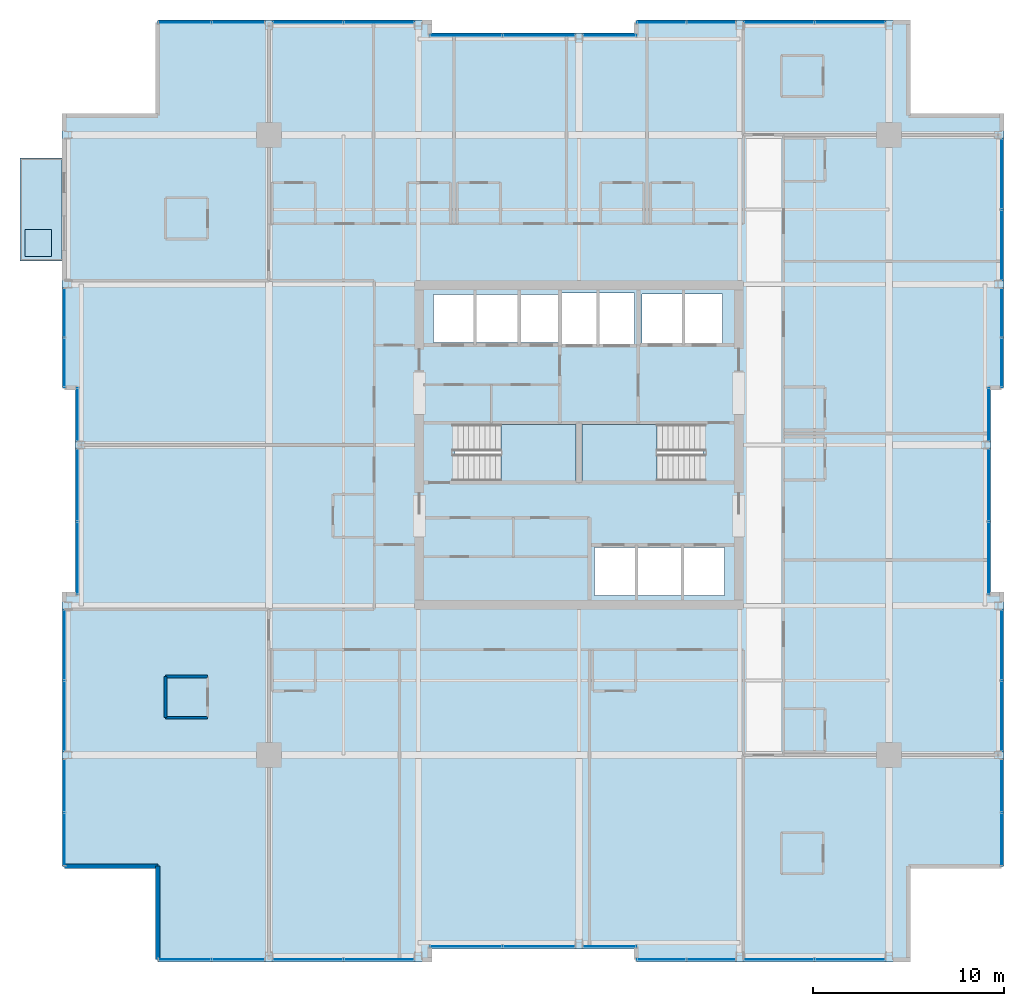
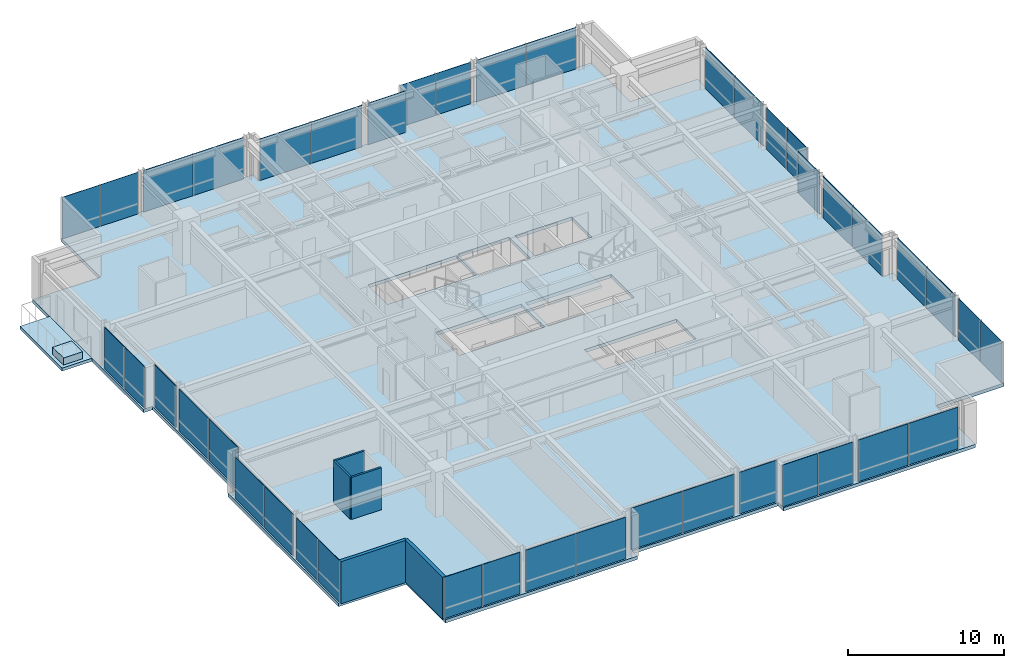
# One storey, part 24 of 31: 42 plates, 5 slabs, 5 walls, 25 elements without a shape of their own.
"""IFC4 building model written with IfcOpenShell, lengths in metres."""

from ifc_helpers import new_model, si_unit, direction, frame, frame_2d, origin, origin_2d, place, context, subcontext, project, spatial, polyline, rectangle, outline, extrude, material, layer, layer_set, type_object, element, aggregate, save


model = new_model("IFC4")

# Units and contexts
model_context = context("Model", 3, precision=1e-05, world=origin(), true_north=direction((0.0, 1.0)))
body_context = subcontext(model_context, "Body", "Model", "MODEL_VIEW")
ifc_project = project(units=[si_unit("LENGTHUNIT", "METRE"), si_unit("AREAUNIT", "SQUARE_METRE"), si_unit("VOLUMEUNIT", "CUBIC_METRE"), si_unit("PLANEANGLEUNIT", "RADIAN"), si_unit("MASSUNIT", "GRAM", prefix="KILO")], contexts=[model_context])

# Site, building, storey
site_placement = place(None, origin())
site = spatial("IfcSite", under=ifc_project, at=site_placement, CompositionType="ELEMENT")
building_placement = place(site_placement, origin())
building = spatial("IfcBuilding", under=site, at=building_placement, Name="Drelvath Grand Hotel", CompositionType="ELEMENT")
storey_placement = place(building_placement, frame((0.0, 0.0, 185.89990234375)))
storey = spatial("IfcBuildingStorey", under=building, at=storey_placement, Name="L48", CompositionType="ELEMENT", Elevation=185.89990234375)

# Slabs
ifc_material_1 = material(Name="Concrete f'c 40 MPa", Category="concrete")
ifc_layer_1 = layer(ifc_material_1, 0.239990234375)
ifc_layer_set_1 = layer_set([ifc_layer_1], Name="Concrete f'c 40 MPa")
slab_type_1 = type_object("IfcSlabType", Name="Cantilevered Tree Balcony Slab 240", PredefinedType="FLOOR", material=ifc_layer_set_1)
slab_1_placement = place(storey_placement, frame((0.0, 0.0, -0.239990234375)))
element("IfcSlab", 1, at=slab_1_placement, inside=storey, type_object=slab_type_1, Name="L48 Cantilevered Tree Balcony Slab 1", PredefinedType="FLOOR", context=body_context, shape_type="SweptSolid", body=[
    extrude(outline(polyline([(-29.199951171875, 36.60009765625), (-27.0, 36.60009765625), (-27.0, 42.0), (-29.199951171875, 42.0), (-29.199951171875, 36.60009765625)])), origin(), (0.0, 0.0, 1.0), 0.239990234375),
])
ifc_layer_2 = layer(ifc_material_1, 0.260009765625)
ifc_layer_set_2 = layer_set([ifc_layer_2], Name="Concrete f'c 40 MPa")
slab_type_2 = type_object("IfcSlabType", Name="Composite RC Floor Slab 260", PredefinedType="FLOOR", material=ifc_layer_set_2)
slab_2_placement = place(storey_placement, frame((0.0, 0.0, -0.260009765625)))
element("IfcSlab", 2, at=slab_2_placement, inside=storey, type_object=slab_type_2, Name="L48 Structural Floor Slab", PredefinedType="FLOOR", context=body_context, shape_type="SweptSolid", body=[
    extrude(outline(polyline([(-22.0, 0.0), (-7.800048828125, 0.0), (-7.800048828125, 0.679931640625), (3.0, 0.679931640625), (3.0, 0.0), (17.199951171875, 0.0), (17.199951171875, 5.0), (22.199951171875, 5.0), (22.199951171875, 19.199951171875), (21.52001953125, 19.199951171875), (21.52001953125, 30.0), (22.199951171875, 30.0), (22.199951171875, 44.199951171875), (17.199951171875, 44.199951171875), (17.199951171875, 49.199951171875), (3.0, 49.199951171875), (3.0, 48.52001953125), (-7.800048828125, 48.52001953125), (-7.800048828125, 49.199951171875), (-22.0, 49.199951171875), (-22.0, 44.199951171875), (-27.0, 44.199951171875), (-27.0, 30.0), (-26.320068359375, 30.0), (-26.320068359375, 19.199951171875), (-27.0, 19.199951171875), (-27.0, 5.0), (-22.0, 5.0), (-22.0, 0.0)]), holes=[polyline([(-6.47998046875, 25.1201171875), (-6.47998046875, 28.080078125), (-0.14990234375, 28.080078125), (-0.14990234375, 25.1201171875), (-6.47998046875, 25.1201171875)]), polyline([(0.14990234375, 25.1201171875), (0.14990234375, 28.080078125), (6.47998046875, 28.080078125), (6.47998046875, 25.1201171875), (0.14990234375, 25.1201171875)]), polyline([(0.800048828125, 19.14990234375), (0.800048828125, 21.64990234375), (7.60009765625, 21.64990234375), (7.60009765625, 19.14990234375), (0.800048828125, 19.14990234375)]), polyline([(-7.60009765625, 32.35009765625), (-7.60009765625, 34.85009765625), (-1.02001953125, 34.85009765625), (-1.02001953125, 32.35009765625), (-7.60009765625, 32.35009765625)]), polyline([(-0.89990234375, 32.25), (-0.89990234375, 34.949951171875), (2.89990234375, 34.949951171875), (2.89990234375, 32.25), (-0.89990234375, 32.25)]), polyline([(3.300048828125, 32.300048828125), (3.300048828125, 34.89990234375), (7.5, 34.89990234375), (7.5, 32.300048828125), (3.300048828125, 32.300048828125)])]), origin(), (0.0, 0.0, 1.0), 0.260009765625),
])

# Stair, slab
ifc_material_2 = material(Name="Concrete C40/50", Category="concrete")
stair_type = type_object("IfcStairType", Name="Dogleg Exit Stair W1400-R177.5", PredefinedType="HALF_TURN_STAIR", material=ifc_material_2)
stair_1_placement = place(storey_placement, origin())
stair_1 = element("IfcStair", 3, at=stair_1_placement, inside=storey, type_object=stair_type, Name="L48 Core Exit Stair ST-1", PredefinedType="HALF_TURN_STAIR")
ifc_layer_3 = layer(ifc_material_2, 0.199951171875)
ifc_layer_set_3 = layer_set([ifc_layer_3], Name="Concrete C40/50")
slab_type_3 = type_object("IfcSlabType", Name="Concrete Stair Landing Slab 200", PredefinedType="LANDING", material=ifc_layer_set_3)
slab_3_placement = place(storey_placement, frame((0.0, 0.0, 1.5751953125)))
slab_3 = element("IfcSlab", 4, at=slab_3_placement, type_object=slab_type_3, Name="ST-1 landing 1", PredefinedType="LANDING", context=body_context, shape_type="SweptSolid", body=[
    extrude(outline(polyline([(-4.080078125, 25.1201171875), (-0.14990234375, 25.1201171875), (-0.14990234375, 28.080078125), (-4.080078125, 28.080078125), (-4.080078125, 25.1201171875)])), origin(), (0.0, 0.0, 1.0), 0.199951171875),
])
aggregate(stair_1, [slab_3])

stair_2_placement = place(storey_placement, origin())
stair_2 = element("IfcStair", 5, at=stair_2_placement, inside=storey, type_object=stair_type, Name="L48 Core Exit Stair ST-2", PredefinedType="HALF_TURN_STAIR")
slab_4_placement = place(storey_placement, frame((0.0, 0.0, 1.5751953125)))
slab_4 = element("IfcSlab", 6, at=slab_4_placement, type_object=slab_type_3, Name="ST-2 landing 1", PredefinedType="LANDING", context=body_context, shape_type="SweptSolid", body=[
    extrude(outline(polyline([(4.080078125, 28.080078125), (0.14990234375, 28.080078125), (0.14990234375, 25.1201171875), (4.080078125, 25.1201171875), (4.080078125, 28.080078125)])), origin(), (0.0, 0.0, 1.0), 0.199951171875),
])
aggregate(stair_2, [slab_4])

# Curtain wall, plates
ifc_material_3 = material(Name="Brushed Pale-Silver Anodised Aluminium Frame", Category="aluminium")
ifc_layer_4 = layer(ifc_material_3, 0.199951171875)
ifc_layer_set_4 = layer_set([ifc_layer_4], Name="Brushed Pale-Silver Anodised Aluminium Frame")
curtain_wall_type = type_object("IfcCurtainWallType", Name="Stick Curtain Wall CW-04 Brushed Silver Upper-Mid", PredefinedType="NOTDEFINED", material=ifc_layer_set_4)
curtain_wall_1_placement = place(storey_placement, origin())
curtain_wall_1 = element("IfcCurtainWall", 7, at=curtain_wall_1_placement, inside=storey, type_object=curtain_wall_type, Name="L48 CW-04 Curtain Wall CW04-L48-WS1", PredefinedType="NOTDEFINED")
ifc_material_4 = material(Name="Low-E Triple Silver Vision Glass Cool", Category="glass")
ifc_layer_5 = layer(ifc_material_4, 0.035888671875)
ifc_layer_set_5 = layer_set([ifc_layer_5], Name="Low-E Triple Silver Vision Glass Cool")
plate_type = type_object("IfcPlateType", Name="Curtain Wall Vision Panel CW-04 36mm", PredefinedType="CURTAIN_PANEL", material=ifc_layer_set_5)
plate_1_placement = place(storey_placement, frame((-26.8798828125, 6.402099609375, 0.02001953125), z_axis=(0.0, 0.0, 1.0), x_axis=(0.0, 1.0, 0.0)))
plate_1 = element("IfcPlate", 8, at=plate_1_placement, type_object=plate_type, Name="CW04-L48-WS1 Glazed Panel 1", PredefinedType="CURTAIN_PANEL", context=body_context, shape_type="SweptSolid", body=[
    extrude(rectangle(XDim=2.76416015625, YDim=0.035888671875, at=origin_2d()), origin(), (0.0, 0.0, 1.0), 3.25),
])
plate_2_placement = place(storey_placement, frame((-26.8798828125, 9.206298828125, 0.02001953125), z_axis=(0.0, 0.0, 1.0), x_axis=(0.0, 1.0, 0.0)))
plate_2 = element("IfcPlate", 9, at=plate_2_placement, type_object=plate_type, Name="CW04-L48-WS1 Glazed Panel 2", PredefinedType="CURTAIN_PANEL", context=body_context, shape_type="SweptSolid", body=[
    extrude(rectangle(XDim=2.76416015625, YDim=0.035888671875, at=origin_2d()), origin(), (0.0, 0.0, 1.0), 3.25),
])
aggregate(curtain_wall_1, [plate_1, plate_2])

curtain_wall_2_placement = place(storey_placement, origin())
curtain_wall_2 = element("IfcCurtainWall", 10, at=curtain_wall_2_placement, inside=storey, type_object=curtain_wall_type, Name="L48 CW-04 Curtain Wall CW04-L48-WS2", PredefinedType="NOTDEFINED")
plate_3_placement = place(storey_placement, frame((-26.8798828125, 12.845947265625, 0.02001953125), z_axis=(0.0, 0.0, 1.0), x_axis=(0.0, 1.0, 0.0)))
plate_3 = element("IfcPlate", 11, at=plate_3_placement, type_object=plate_type, Name="CW04-L48-WS2 Glazed Panel 1", PredefinedType="CURTAIN_PANEL", context=body_context, shape_type="SweptSolid", body=[
    extrude(rectangle(XDim=3.66845703125, YDim=0.035888671875, at=origin_2d()), origin(), (0.0, 0.0, 1.0), 3.25),
])
plate_4_placement = place(storey_placement, frame((-26.8798828125, 16.55419921875, 0.02001953125), z_axis=(0.0, 0.0, 1.0), x_axis=(0.0, 1.0, 0.0)))
plate_4 = element("IfcPlate", 12, at=plate_4_placement, type_object=plate_type, Name="CW04-L48-WS2 Glazed Panel 2", PredefinedType="CURTAIN_PANEL", context=body_context, shape_type="SweptSolid", body=[
    extrude(rectangle(XDim=3.66845703125, YDim=0.035888671875, at=origin_2d()), origin(), (0.0, 0.0, 1.0), 3.25),
])
aggregate(curtain_wall_2, [plate_3, plate_4])

curtain_wall_3_placement = place(storey_placement, origin())
curtain_wall_3 = element("IfcCurtainWall", 13, at=curtain_wall_3_placement, inside=storey, type_object=curtain_wall_type, Name="L48 CW-04 Curtain Wall CW04-L48-WM1", PredefinedType="NOTDEFINED")
plate_5_placement = place(storey_placement, frame((-26.199951171875, 21.10205078125, 0.02001953125), z_axis=(0.0, 0.0, 1.0), x_axis=(0.0, 1.0, 0.0)))
plate_5 = element("IfcPlate", 14, at=plate_5_placement, type_object=plate_type, Name="CW04-L48-WM1 Glazed Panel 1", PredefinedType="CURTAIN_PANEL", context=body_context, shape_type="SweptSolid", body=[
    extrude(rectangle(XDim=3.76416015625, YDim=0.035888671875, at=origin_2d()), origin(), (0.0, 0.0, 1.0), 3.25),
])
plate_6_placement = place(storey_placement, frame((-26.199951171875, 24.90625, 0.02001953125), z_axis=(0.0, 0.0, 1.0), x_axis=(0.0, 1.0, 0.0)))
plate_6 = element("IfcPlate", 15, at=plate_6_placement, type_object=plate_type, Name="CW04-L48-WM1 Glazed Panel 2", PredefinedType="CURTAIN_PANEL", context=body_context, shape_type="SweptSolid", body=[
    extrude(rectangle(XDim=3.76416015625, YDim=0.035888671875, at=origin_2d()), origin(), (0.0, 0.0, 1.0), 3.25),
])
aggregate(curtain_wall_3, [plate_5, plate_6])

# Curtain wall, plate
curtain_wall_4_placement = place(storey_placement, origin())
curtain_wall_4 = element("IfcCurtainWall", 16, at=curtain_wall_4_placement, inside=storey, type_object=curtain_wall_type, Name="L48 CW-04 Curtain Wall CW04-L48-WM2", PredefinedType="NOTDEFINED")
plate_7_placement = place(storey_placement, frame((-26.199951171875, 28.595703125, 0.02001953125), z_axis=(0.0, 0.0, 1.0), x_axis=(0.0, 1.0, 0.0)))
plate_7 = element("IfcPlate", 17, at=plate_7_placement, type_object=plate_type, Name="CW04-L48-WM2 Glazed Panel 1", PredefinedType="CURTAIN_PANEL", context=body_context, shape_type="SweptSolid", body=[
    extrude(rectangle(XDim=2.768310546875, YDim=0.035888671875, at=origin_2d()), origin(), (0.0, 0.0, 1.0), 3.25),
])
aggregate(curtain_wall_4, [plate_7])

# Curtain wall, plates
curtain_wall_5_placement = place(storey_placement, origin())
curtain_wall_5 = element("IfcCurtainWall", 18, at=curtain_wall_5_placement, inside=storey, type_object=curtain_wall_type, Name="L48 CW-04 Curtain Wall CW04-L48-WN1", PredefinedType="NOTDEFINED")
plate_8_placement = place(storey_placement, frame((-26.8798828125, 31.302001953125, 0.02001953125), z_axis=(0.0, 0.0, 1.0), x_axis=(0.0, 1.0, 0.0)))
plate_8 = element("IfcPlate", 19, at=plate_8_placement, type_object=plate_type, Name="CW04-L48-WN1 Glazed Panel 1", PredefinedType="CURTAIN_PANEL", context=body_context, shape_type="SweptSolid", body=[
    extrude(rectangle(XDim=2.564208984375, YDim=0.035888671875, at=origin_2d()), origin(), (0.0, 0.0, 1.0), 3.25),
])
plate_9_placement = place(storey_placement, frame((-26.8798828125, 33.90625, 0.02001953125), z_axis=(0.0, 0.0, 1.0), x_axis=(0.0, 1.0, 0.0)))
plate_9 = element("IfcPlate", 20, at=plate_9_placement, type_object=plate_type, Name="CW04-L48-WN1 Glazed Panel 2", PredefinedType="CURTAIN_PANEL", context=body_context, shape_type="SweptSolid", body=[
    extrude(rectangle(XDim=2.564208984375, YDim=0.035888671875, at=origin_2d()), origin(), (0.0, 0.0, 1.0), 3.25),
])
aggregate(curtain_wall_5, [plate_8, plate_9])

curtain_wall_6_placement = place(storey_placement, origin())
curtain_wall_6 = element("IfcCurtainWall", 21, at=curtain_wall_6_placement, inside=storey, type_object=curtain_wall_type, Name="L48 CW-04 Curtain Wall CW04-L48-EN1", PredefinedType="NOTDEFINED")
plate_10_placement = place(storey_placement, frame((22.080078125, 33.90625, 0.02001953125), z_axis=(0.0, 0.0, 1.0), x_axis=(0.0, -1.0, 0.0)))
plate_10 = element("IfcPlate", 22, at=plate_10_placement, type_object=plate_type, Name="CW04-L48-EN1 Glazed Panel 1", PredefinedType="CURTAIN_PANEL", context=body_context, shape_type="SweptSolid", body=[
    extrude(rectangle(XDim=2.564208984375, YDim=0.035888671875, at=origin_2d()), origin(), (0.0, 0.0, 1.0), 3.25),
])
plate_11_placement = place(storey_placement, frame((22.080078125, 31.302001953125, 0.02001953125), z_axis=(0.0, 0.0, 1.0), x_axis=(0.0, -1.0, 0.0)))
plate_11 = element("IfcPlate", 23, at=plate_11_placement, type_object=plate_type, Name="CW04-L48-EN1 Glazed Panel 2", PredefinedType="CURTAIN_PANEL", context=body_context, shape_type="SweptSolid", body=[
    extrude(rectangle(XDim=2.564208984375, YDim=0.035888671875, at=origin_2d()), origin(), (0.0, 0.0, 1.0), 3.25),
])
aggregate(curtain_wall_6, [plate_10, plate_11])

curtain_wall_7_placement = place(storey_placement, origin())
curtain_wall_7 = element("IfcCurtainWall", 24, at=curtain_wall_7_placement, inside=storey, type_object=curtain_wall_type, Name="L48 CW-04 Curtain Wall CW04-L48-EN2", PredefinedType="NOTDEFINED")
plate_12_placement = place(storey_placement, frame((22.080078125, 41.154296875, 0.02001953125), z_axis=(0.0, 0.0, 1.0), x_axis=(0.0, -1.0, 0.0)))
plate_12 = element("IfcPlate", 25, at=plate_12_placement, type_object=plate_type, Name="CW04-L48-EN2 Glazed Panel 1", PredefinedType="CURTAIN_PANEL", context=body_context, shape_type="SweptSolid", body=[
    extrude(rectangle(XDim=3.66845703125, YDim=0.035888671875, at=origin_2d()), origin(), (0.0, 0.0, 1.0), 3.25),
])
plate_13_placement = place(storey_placement, frame((22.080078125, 37.44580078125, 0.02001953125), z_axis=(0.0, 0.0, 1.0), x_axis=(0.0, -1.0, 0.0)))
plate_13 = element("IfcPlate", 26, at=plate_13_placement, type_object=plate_type, Name="CW04-L48-EN2 Glazed Panel 2", PredefinedType="CURTAIN_PANEL", context=body_context, shape_type="SweptSolid", body=[
    extrude(rectangle(XDim=3.66845703125, YDim=0.035888671875, at=origin_2d()), origin(), (0.0, 0.0, 1.0), 3.25),
])
aggregate(curtain_wall_7, [plate_12, plate_13])

curtain_wall_8_placement = place(storey_placement, origin())
curtain_wall_8 = element("IfcCurtainWall", 27, at=curtain_wall_8_placement, inside=storey, type_object=curtain_wall_type, Name="L48 CW-04 Curtain Wall CW04-L48-EM1", PredefinedType="NOTDEFINED")
plate_14_placement = place(storey_placement, frame((21.39990234375, 24.90625, 0.02001953125), z_axis=(0.0, 0.0, 1.0), x_axis=(0.0, -1.0, 0.0)))
plate_14 = element("IfcPlate", 28, at=plate_14_placement, type_object=plate_type, Name="CW04-L48-EM1 Glazed Panel 1", PredefinedType="CURTAIN_PANEL", context=body_context, shape_type="SweptSolid", body=[
    extrude(rectangle(XDim=3.76416015625, YDim=0.035888671875, at=origin_2d()), origin(), (0.0, 0.0, 1.0), 3.25),
])
plate_15_placement = place(storey_placement, frame((21.39990234375, 21.10205078125, 0.02001953125), z_axis=(0.0, 0.0, 1.0), x_axis=(0.0, -1.0, 0.0)))
plate_15 = element("IfcPlate", 29, at=plate_15_placement, type_object=plate_type, Name="CW04-L48-EM1 Glazed Panel 2", PredefinedType="CURTAIN_PANEL", context=body_context, shape_type="SweptSolid", body=[
    extrude(rectangle(XDim=3.76416015625, YDim=0.035888671875, at=origin_2d()), origin(), (0.0, 0.0, 1.0), 3.25),
])
aggregate(curtain_wall_8, [plate_14, plate_15])

# Curtain wall, plate
curtain_wall_9_placement = place(storey_placement, origin())
curtain_wall_9 = element("IfcCurtainWall", 30, at=curtain_wall_9_placement, inside=storey, type_object=curtain_wall_type, Name="L48 CW-04 Curtain Wall CW04-L48-EM2", PredefinedType="NOTDEFINED")
plate_16_placement = place(storey_placement, frame((21.39990234375, 28.595703125, 0.02001953125), z_axis=(0.0, 0.0, 1.0), x_axis=(0.0, -1.0, 0.0)))
plate_16 = element("IfcPlate", 31, at=plate_16_placement, type_object=plate_type, Name="CW04-L48-EM2 Glazed Panel 1", PredefinedType="CURTAIN_PANEL", context=body_context, shape_type="SweptSolid", body=[
    extrude(rectangle(XDim=2.768310546875, YDim=0.035888671875, at=origin_2d()), origin(), (0.0, 0.0, 1.0), 3.25),
])
aggregate(curtain_wall_9, [plate_16])

# Curtain wall, plates
curtain_wall_10_placement = place(storey_placement, origin())
curtain_wall_10 = element("IfcCurtainWall", 32, at=curtain_wall_10_placement, inside=storey, type_object=curtain_wall_type, Name="L48 CW-04 Curtain Wall CW04-L48-ES1", PredefinedType="NOTDEFINED")
plate_17_placement = place(storey_placement, frame((22.080078125, 9.206298828125, 0.02001953125), z_axis=(0.0, 0.0, 1.0), x_axis=(0.0, -1.0, 0.0)))
plate_17 = element("IfcPlate", 33, at=plate_17_placement, type_object=plate_type, Name="CW04-L48-ES1 Glazed Panel 1", PredefinedType="CURTAIN_PANEL", context=body_context, shape_type="SweptSolid", body=[
    extrude(rectangle(XDim=2.76416015625, YDim=0.035888671875, at=origin_2d()), origin(), (0.0, 0.0, 1.0), 3.25),
])
plate_18_placement = place(storey_placement, frame((22.080078125, 6.402099609375, 0.02001953125), z_axis=(0.0, 0.0, 1.0), x_axis=(0.0, -1.0, 0.0)))
plate_18 = element("IfcPlate", 34, at=plate_18_placement, type_object=plate_type, Name="CW04-L48-ES1 Glazed Panel 2", PredefinedType="CURTAIN_PANEL", context=body_context, shape_type="SweptSolid", body=[
    extrude(rectangle(XDim=2.76416015625, YDim=0.035888671875, at=origin_2d()), origin(), (0.0, 0.0, 1.0), 3.25),
])
aggregate(curtain_wall_10, [plate_17, plate_18])

curtain_wall_11_placement = place(storey_placement, origin())
curtain_wall_11 = element("IfcCurtainWall", 35, at=curtain_wall_11_placement, inside=storey, type_object=curtain_wall_type, Name="L48 CW-04 Curtain Wall CW04-L48-ES2", PredefinedType="NOTDEFINED")
plate_19_placement = place(storey_placement, frame((22.080078125, 16.55419921875, 0.02001953125), z_axis=(0.0, 0.0, 1.0), x_axis=(0.0, -1.0, 0.0)))
plate_19 = element("IfcPlate", 36, at=plate_19_placement, type_object=plate_type, Name="CW04-L48-ES2 Glazed Panel 1", PredefinedType="CURTAIN_PANEL", context=body_context, shape_type="SweptSolid", body=[
    extrude(rectangle(XDim=3.66845703125, YDim=0.035888671875, at=origin_2d()), origin(), (0.0, 0.0, 1.0), 3.25),
])
plate_20_placement = place(storey_placement, frame((22.080078125, 12.845947265625, 0.02001953125), z_axis=(0.0, 0.0, 1.0), x_axis=(0.0, -1.0, 0.0)))
plate_20 = element("IfcPlate", 37, at=plate_20_placement, type_object=plate_type, Name="CW04-L48-ES2 Glazed Panel 2", PredefinedType="CURTAIN_PANEL", context=body_context, shape_type="SweptSolid", body=[
    extrude(rectangle(XDim=3.66845703125, YDim=0.035888671875, at=origin_2d()), origin(), (0.0, 0.0, 1.0), 3.25),
])
aggregate(curtain_wall_11, [plate_19, plate_20])

curtain_wall_12_placement = place(storey_placement, origin())
curtain_wall_12 = element("IfcCurtainWall", 38, at=curtain_wall_12_placement, inside=storey, type_object=curtain_wall_type, Name="L48 CW-04 Curtain Wall CW04-L48-NW1", PredefinedType="NOTDEFINED")
plate_21_placement = place(storey_placement, frame((-20.597900390625, 49.080078125, 0.02001953125), z_axis=(0.0, 0.0, 1.0), x_axis=(1.0, 0.0, 0.0)))
plate_21 = element("IfcPlate", 39, at=plate_21_placement, type_object=plate_type, Name="CW04-L48-NW1 Glazed Panel 1", PredefinedType="CURTAIN_PANEL", context=body_context, shape_type="SweptSolid", body=[
    extrude(rectangle(XDim=2.76416015625, YDim=0.035888671875, at=origin_2d()), origin(), (0.0, 0.0, 1.0), 3.25),
])
plate_22_placement = place(storey_placement, frame((-17.793701171875, 49.080078125, 0.02001953125), z_axis=(0.0, 0.0, 1.0), x_axis=(1.0, 0.0, 0.0)))
plate_22 = element("IfcPlate", 40, at=plate_22_placement, type_object=plate_type, Name="CW04-L48-NW1 Glazed Panel 2", PredefinedType="CURTAIN_PANEL", context=body_context, shape_type="SweptSolid", body=[
    extrude(rectangle(XDim=2.76416015625, YDim=0.035888671875, at=origin_2d()), origin(), (0.0, 0.0, 1.0), 3.25),
])
aggregate(curtain_wall_12, [plate_21, plate_22])

curtain_wall_13_placement = place(storey_placement, origin())
curtain_wall_13 = element("IfcCurtainWall", 41, at=curtain_wall_13_placement, inside=storey, type_object=curtain_wall_type, Name="L48 CW-04 Curtain Wall CW04-L48-NW2", PredefinedType="NOTDEFINED")
plate_23_placement = place(storey_placement, frame((-14.154296875, 49.080078125, 0.02001953125), z_axis=(0.0, 0.0, 1.0), x_axis=(1.0, 0.0, 0.0)))
plate_23 = element("IfcPlate", 42, at=plate_23_placement, type_object=plate_type, Name="CW04-L48-NW2 Glazed Panel 1", PredefinedType="CURTAIN_PANEL", context=body_context, shape_type="SweptSolid", body=[
    extrude(rectangle(XDim=3.66845703125, YDim=0.035888671875, at=origin_2d()), origin(), (0.0, 0.0, 1.0), 3.25),
])
plate_24_placement = place(storey_placement, frame((-10.44580078125, 49.080078125, 0.02001953125), z_axis=(0.0, 0.0, 1.0), x_axis=(1.0, 0.0, 0.0)))
plate_24 = element("IfcPlate", 43, at=plate_24_placement, type_object=plate_type, Name="CW04-L48-NW2 Glazed Panel 2", PredefinedType="CURTAIN_PANEL", context=body_context, shape_type="SweptSolid", body=[
    extrude(rectangle(XDim=3.66845703125, YDim=0.035888671875, at=origin_2d()), origin(), (0.0, 0.0, 1.0), 3.25),
])
aggregate(curtain_wall_13, [plate_23, plate_24])

curtain_wall_14_placement = place(storey_placement, origin())
curtain_wall_14 = element("IfcCurtainWall", 44, at=curtain_wall_14_placement, inside=storey, type_object=curtain_wall_type, Name="L48 CW-04 Curtain Wall CW04-L48-NM1", PredefinedType="NOTDEFINED")
plate_25_placement = place(storey_placement, frame((-5.89794921875, 48.39990234375, 0.02001953125), z_axis=(0.0, 0.0, 1.0), x_axis=(1.0, 0.0, 0.0)))
plate_25 = element("IfcPlate", 45, at=plate_25_placement, type_object=plate_type, Name="CW04-L48-NM1 Glazed Panel 1", PredefinedType="CURTAIN_PANEL", context=body_context, shape_type="SweptSolid", body=[
    extrude(rectangle(XDim=3.76416015625, YDim=0.035888671875, at=origin_2d()), origin(), (0.0, 0.0, 1.0), 3.25),
])
plate_26_placement = place(storey_placement, frame((-2.09375, 48.39990234375, 0.02001953125), z_axis=(0.0, 0.0, 1.0), x_axis=(1.0, 0.0, 0.0)))
plate_26 = element("IfcPlate", 46, at=plate_26_placement, type_object=plate_type, Name="CW04-L48-NM1 Glazed Panel 2", PredefinedType="CURTAIN_PANEL", context=body_context, shape_type="SweptSolid", body=[
    extrude(rectangle(XDim=3.76416015625, YDim=0.035888671875, at=origin_2d()), origin(), (0.0, 0.0, 1.0), 3.25),
])
aggregate(curtain_wall_14, [plate_25, plate_26])

# Curtain wall, plate
curtain_wall_15_placement = place(storey_placement, origin())
curtain_wall_15 = element("IfcCurtainWall", 47, at=curtain_wall_15_placement, inside=storey, type_object=curtain_wall_type, Name="L48 CW-04 Curtain Wall CW04-L48-NM2", PredefinedType="NOTDEFINED")
plate_27_placement = place(storey_placement, frame((1.595703125, 48.39990234375, 0.02001953125), z_axis=(0.0, 0.0, 1.0), x_axis=(1.0, 0.0, 0.0)))
plate_27 = element("IfcPlate", 48, at=plate_27_placement, type_object=plate_type, Name="CW04-L48-NM2 Glazed Panel 1", PredefinedType="CURTAIN_PANEL", context=body_context, shape_type="SweptSolid", body=[
    extrude(rectangle(XDim=2.768310546875, YDim=0.035888671875, at=origin_2d()), origin(), (0.0, 0.0, 1.0), 3.25),
])
aggregate(curtain_wall_15, [plate_27])

# Curtain wall, plates
curtain_wall_16_placement = place(storey_placement, origin())
curtain_wall_16 = element("IfcCurtainWall", 49, at=curtain_wall_16_placement, inside=storey, type_object=curtain_wall_type, Name="L48 CW-04 Curtain Wall CW04-L48-NE1", PredefinedType="NOTDEFINED")
plate_28_placement = place(storey_placement, frame((4.302001953125, 49.080078125, 0.02001953125), z_axis=(0.0, 0.0, 1.0), x_axis=(1.0, 0.0, 0.0)))
plate_28 = element("IfcPlate", 50, at=plate_28_placement, type_object=plate_type, Name="CW04-L48-NE1 Glazed Panel 1", PredefinedType="CURTAIN_PANEL", context=body_context, shape_type="SweptSolid", body=[
    extrude(rectangle(XDim=2.564208984375, YDim=0.035888671875, at=origin_2d()), origin(), (0.0, 0.0, 1.0), 3.25),
])
plate_29_placement = place(storey_placement, frame((6.90625, 49.080078125, 0.02001953125), z_axis=(0.0, 0.0, 1.0), x_axis=(1.0, 0.0, 0.0)))
plate_29 = element("IfcPlate", 51, at=plate_29_placement, type_object=plate_type, Name="CW04-L48-NE1 Glazed Panel 2", PredefinedType="CURTAIN_PANEL", context=body_context, shape_type="SweptSolid", body=[
    extrude(rectangle(XDim=2.564208984375, YDim=0.035888671875, at=origin_2d()), origin(), (0.0, 0.0, 1.0), 3.25),
])
aggregate(curtain_wall_16, [plate_28, plate_29])

curtain_wall_17_placement = place(storey_placement, origin())
curtain_wall_17 = element("IfcCurtainWall", 52, at=curtain_wall_17_placement, inside=storey, type_object=curtain_wall_type, Name="L48 CW-04 Curtain Wall CW04-L48-NE2", PredefinedType="NOTDEFINED")
plate_30_placement = place(storey_placement, frame((10.44580078125, 49.080078125, 0.02001953125), z_axis=(0.0, 0.0, 1.0), x_axis=(1.0, 0.0, 0.0)))
plate_30 = element("IfcPlate", 53, at=plate_30_placement, type_object=plate_type, Name="CW04-L48-NE2 Glazed Panel 1", PredefinedType="CURTAIN_PANEL", context=body_context, shape_type="SweptSolid", body=[
    extrude(rectangle(XDim=3.66845703125, YDim=0.035888671875, at=origin_2d()), origin(), (0.0, 0.0, 1.0), 3.25),
])
plate_31_placement = place(storey_placement, frame((14.154296875, 49.080078125, 0.02001953125), z_axis=(0.0, 0.0, 1.0), x_axis=(1.0, 0.0, 0.0)))
plate_31 = element("IfcPlate", 54, at=plate_31_placement, type_object=plate_type, Name="CW04-L48-NE2 Glazed Panel 2", PredefinedType="CURTAIN_PANEL", context=body_context, shape_type="SweptSolid", body=[
    extrude(rectangle(XDim=3.66845703125, YDim=0.035888671875, at=origin_2d()), origin(), (0.0, 0.0, 1.0), 3.25),
])
aggregate(curtain_wall_17, [plate_30, plate_31])

curtain_wall_18_placement = place(storey_placement, origin())
curtain_wall_18 = element("IfcCurtainWall", 55, at=curtain_wall_18_placement, inside=storey, type_object=curtain_wall_type, Name="L48 CW-04 Curtain Wall CW04-L48-SE1", PredefinedType="NOTDEFINED")
plate_32_placement = place(storey_placement, frame((6.90625, 0.1201171875, 0.02001953125), z_axis=(0.0, 0.0, 1.0), x_axis=(-1.0, 0.0, 0.0)))
plate_32 = element("IfcPlate", 56, at=plate_32_placement, type_object=plate_type, Name="CW04-L48-SE1 Glazed Panel 1", PredefinedType="CURTAIN_PANEL", context=body_context, shape_type="SweptSolid", body=[
    extrude(rectangle(XDim=2.564208984375, YDim=0.035888671875, at=origin_2d()), origin(), (0.0, 0.0, 1.0), 3.25),
])
plate_33_placement = place(storey_placement, frame((4.302001953125, 0.1201171875, 0.02001953125), z_axis=(0.0, 0.0, 1.0), x_axis=(-1.0, 0.0, 0.0)))
plate_33 = element("IfcPlate", 57, at=plate_33_placement, type_object=plate_type, Name="CW04-L48-SE1 Glazed Panel 2", PredefinedType="CURTAIN_PANEL", context=body_context, shape_type="SweptSolid", body=[
    extrude(rectangle(XDim=2.564208984375, YDim=0.035888671875, at=origin_2d()), origin(), (0.0, 0.0, 1.0), 3.25),
])
aggregate(curtain_wall_18, [plate_32, plate_33])

curtain_wall_19_placement = place(storey_placement, origin())
curtain_wall_19 = element("IfcCurtainWall", 58, at=curtain_wall_19_placement, inside=storey, type_object=curtain_wall_type, Name="L48 CW-04 Curtain Wall CW04-L48-SE2", PredefinedType="NOTDEFINED")
plate_34_placement = place(storey_placement, frame((14.154296875, 0.1201171875, 0.02001953125), z_axis=(0.0, 0.0, 1.0), x_axis=(-1.0, 0.0, 0.0)))
plate_34 = element("IfcPlate", 59, at=plate_34_placement, type_object=plate_type, Name="CW04-L48-SE2 Glazed Panel 1", PredefinedType="CURTAIN_PANEL", context=body_context, shape_type="SweptSolid", body=[
    extrude(rectangle(XDim=3.66845703125, YDim=0.035888671875, at=origin_2d()), origin(), (0.0, 0.0, 1.0), 3.25),
])
plate_35_placement = place(storey_placement, frame((10.44580078125, 0.1201171875, 0.02001953125), z_axis=(0.0, 0.0, 1.0), x_axis=(-1.0, 0.0, 0.0)))
plate_35 = element("IfcPlate", 60, at=plate_35_placement, type_object=plate_type, Name="CW04-L48-SE2 Glazed Panel 2", PredefinedType="CURTAIN_PANEL", context=body_context, shape_type="SweptSolid", body=[
    extrude(rectangle(XDim=3.66845703125, YDim=0.035888671875, at=origin_2d()), origin(), (0.0, 0.0, 1.0), 3.25),
])
aggregate(curtain_wall_19, [plate_34, plate_35])

curtain_wall_20_placement = place(storey_placement, origin())
curtain_wall_20 = element("IfcCurtainWall", 61, at=curtain_wall_20_placement, inside=storey, type_object=curtain_wall_type, Name="L48 CW-04 Curtain Wall CW04-L48-SM1", PredefinedType="NOTDEFINED")
plate_36_placement = place(storey_placement, frame((-2.09375, 0.800048828125, 0.02001953125), z_axis=(0.0, 0.0, 1.0), x_axis=(-1.0, 0.0, 0.0)))
plate_36 = element("IfcPlate", 62, at=plate_36_placement, type_object=plate_type, Name="CW04-L48-SM1 Glazed Panel 1", PredefinedType="CURTAIN_PANEL", context=body_context, shape_type="SweptSolid", body=[
    extrude(rectangle(XDim=3.76416015625, YDim=0.035888671875, at=origin_2d()), origin(), (0.0, 0.0, 1.0), 3.25),
])
plate_37_placement = place(storey_placement, frame((-5.89794921875, 0.800048828125, 0.02001953125), z_axis=(0.0, 0.0, 1.0), x_axis=(-1.0, 0.0, 0.0)))
plate_37 = element("IfcPlate", 63, at=plate_37_placement, type_object=plate_type, Name="CW04-L48-SM1 Glazed Panel 2", PredefinedType="CURTAIN_PANEL", context=body_context, shape_type="SweptSolid", body=[
    extrude(rectangle(XDim=3.76416015625, YDim=0.035888671875, at=origin_2d()), origin(), (0.0, 0.0, 1.0), 3.25),
])
aggregate(curtain_wall_20, [plate_36, plate_37])

# Curtain wall, plate
curtain_wall_21_placement = place(storey_placement, origin())
curtain_wall_21 = element("IfcCurtainWall", 64, at=curtain_wall_21_placement, inside=storey, type_object=curtain_wall_type, Name="L48 CW-04 Curtain Wall CW04-L48-SM2", PredefinedType="NOTDEFINED")
plate_38_placement = place(storey_placement, frame((1.595703125, 0.800048828125, 0.02001953125), z_axis=(0.0, 0.0, 1.0), x_axis=(-1.0, 0.0, 0.0)))
plate_38 = element("IfcPlate", 65, at=plate_38_placement, type_object=plate_type, Name="CW04-L48-SM2 Glazed Panel 1", PredefinedType="CURTAIN_PANEL", context=body_context, shape_type="SweptSolid", body=[
    extrude(rectangle(XDim=2.768310546875, YDim=0.035888671875, at=origin_2d()), origin(), (0.0, 0.0, 1.0), 3.25),
])
aggregate(curtain_wall_21, [plate_38])

# Curtain wall, plates
curtain_wall_22_placement = place(storey_placement, origin())
curtain_wall_22 = element("IfcCurtainWall", 66, at=curtain_wall_22_placement, inside=storey, type_object=curtain_wall_type, Name="L48 CW-04 Curtain Wall CW04-L48-SW1", PredefinedType="NOTDEFINED")
plate_39_placement = place(storey_placement, frame((-17.793701171875, 0.1201171875, 0.02001953125), z_axis=(0.0, 0.0, 1.0), x_axis=(-1.0, 0.0, 0.0)))
plate_39 = element("IfcPlate", 67, at=plate_39_placement, type_object=plate_type, Name="CW04-L48-SW1 Glazed Panel 1", PredefinedType="CURTAIN_PANEL", context=body_context, shape_type="SweptSolid", body=[
    extrude(rectangle(XDim=2.76416015625, YDim=0.035888671875, at=origin_2d()), origin(), (0.0, 0.0, 1.0), 3.25),
])
plate_40_placement = place(storey_placement, frame((-20.597900390625, 0.1201171875, 0.02001953125), z_axis=(0.0, 0.0, 1.0), x_axis=(-1.0, 0.0, 0.0)))
plate_40 = element("IfcPlate", 68, at=plate_40_placement, type_object=plate_type, Name="CW04-L48-SW1 Glazed Panel 2", PredefinedType="CURTAIN_PANEL", context=body_context, shape_type="SweptSolid", body=[
    extrude(rectangle(XDim=2.76416015625, YDim=0.035888671875, at=origin_2d()), origin(), (0.0, 0.0, 1.0), 3.25),
])
aggregate(curtain_wall_22, [plate_39, plate_40])

curtain_wall_23_placement = place(storey_placement, origin())
curtain_wall_23 = element("IfcCurtainWall", 69, at=curtain_wall_23_placement, inside=storey, type_object=curtain_wall_type, Name="L48 CW-04 Curtain Wall CW04-L48-SW2", PredefinedType="NOTDEFINED")
plate_41_placement = place(storey_placement, frame((-10.44580078125, 0.1201171875, 0.02001953125), z_axis=(0.0, 0.0, 1.0), x_axis=(-1.0, 0.0, 0.0)))
plate_41 = element("IfcPlate", 70, at=plate_41_placement, type_object=plate_type, Name="CW04-L48-SW2 Glazed Panel 1", PredefinedType="CURTAIN_PANEL", context=body_context, shape_type="SweptSolid", body=[
    extrude(rectangle(XDim=3.66845703125, YDim=0.035888671875, at=origin_2d()), origin(), (0.0, 0.0, 1.0), 3.25),
])
plate_42_placement = place(storey_placement, frame((-14.154296875, 0.1201171875, 0.02001953125), z_axis=(0.0, 0.0, 1.0), x_axis=(-1.0, 0.0, 0.0)))
plate_42 = element("IfcPlate", 71, at=plate_42_placement, type_object=plate_type, Name="CW04-L48-SW2 Glazed Panel 2", PredefinedType="CURTAIN_PANEL", context=body_context, shape_type="SweptSolid", body=[
    extrude(rectangle(XDim=3.66845703125, YDim=0.035888671875, at=origin_2d()), origin(), (0.0, 0.0, 1.0), 3.25),
])
aggregate(curtain_wall_23, [plate_41, plate_42])

# Slab
ifc_layer_6 = layer(ifc_material_1, 0.550048828125)
ifc_layer_set_6 = layer_set([ifc_layer_6], Name="Concrete f'c 40 MPa")
slab_type_4 = type_object("IfcSlabType", Name="Structural Tree Planter Box 550", PredefinedType="USERDEFINED", material=ifc_layer_set_6)
slab_5_placement = place(storey_placement, origin())
element("IfcSlab", 72, at=slab_5_placement, inside=storey, type_object=slab_type_4, Name="L48 Tree Balcony Structural Planter 1", ObjectType="PLANTER", PredefinedType="USERDEFINED", context=body_context, shape_type="SweptSolid", body=[
    extrude(outline(polyline([(-28.949951171875, 36.85009765625), (-27.550048828125, 36.85009765625), (-27.550048828125, 38.25), (-28.949951171875, 38.25), (-28.949951171875, 36.85009765625)])), origin(), (0.0, 0.0, 1.0), 0.550048828125),
])

# Walls
ifc_material_5 = material(Name="Moisture-Resistant Gypsum Board")
ifc_layer_7 = layer(ifc_material_5, 0.139892578125)
ifc_layer_set_7 = layer_set([ifc_layer_7], Name="Moisture-Resistant Gypsum Board")
wall_type_1 = type_object("IfcWallType", Name="En-Suite Plumbing Wall 140", PredefinedType="PLUMBINGWALL", material=ifc_layer_set_7)
for number, where, z_axis, x_axis, name in (
    (73, (-21.60009765625, 12.760009765625, 0.0), (0.0, 0.0, 1.0), (1.0, 0.0, 0.0), "L48 Corner En-Suite South"),
    (74, (-21.60009765625, 14.909912109375, 0.0), (0.0, 0.0, 1.0), (1.0, 0.0, 0.0), "L48 Corner En-Suite North"),
):
    element("IfcWall", number, at=place(storey_placement, frame(where, z_axis=z_axis, x_axis=x_axis)), inside=storey, type_object=wall_type_1, Name=name, PredefinedType="PLUMBINGWALL", context=body_context, shape_type="SweptSolid", body=[
        extrude(rectangle(XDim=2.2001953125, YDim=0.139892578125, at=frame_2d((1.10009765625, 0.0))), origin(), (0.0, 0.0, 1.0), 3.2900390625),
    ])
wall_placement = place(storey_placement, frame((-21.60009765625, 12.760009765625, 0.0), z_axis=(0.0, 0.0, 1.0), x_axis=(0.0, 1.0, 0.0)))
element("IfcWall", 75, at=wall_placement, inside=storey, type_object=wall_type_1, Name="L48 Corner En-Suite West", PredefinedType="PLUMBINGWALL", context=body_context, shape_type="SweptSolid", body=[
    extrude(rectangle(XDim=2.14990234375, YDim=0.139892578125, at=frame_2d((1.074951171875, 0.0))), origin(), (0.0, 0.0, 1.0), 3.2900390625),
])
ifc_material_6 = material(Name="Pale-Metal Insulated Aluminium Spandrel Assembly", Category="aluminium")
ifc_layer_8 = layer(ifc_material_6, 0.239990234375)
ifc_layer_set_8 = layer_set([ifc_layer_8], Name="Pale-Metal Insulated Aluminium Spandrel Assembly")
wall_type_2 = type_object("IfcWallType", Name="Tower Insulated Metal Spandrel Closure Wall 240", PredefinedType="STANDARD", material=ifc_layer_set_8)
for number, where, z_axis, x_axis, name in (
    (76, (-22.0, 0.1201171875, 0.0), (0.0, 0.0, 1.0), (0.0, 1.0, 0.0), "L48 Notched Corner Return Spandrel Wall CSW1"),
    (77, (-22.0, 5.0, 0.0), (0.0, 0.0, 1.0), (-1.0, 0.0, 0.0), "L48 Notched Corner Return Spandrel Wall CSW2"),
):
    element("IfcWall", number, at=place(storey_placement, frame(where, z_axis=z_axis, x_axis=x_axis)), inside=storey, type_object=wall_type_2, Name=name, PredefinedType="STANDARD", context=body_context, shape_type="SweptSolid", body=[
        extrude(rectangle(XDim=4.8798828125, YDim=0.239990234375, at=frame_2d((2.43994140625, 0.0))), origin(), (0.0, 0.0, 1.0), 3.2900390625),
    ])

save(model, "model.ifc")
